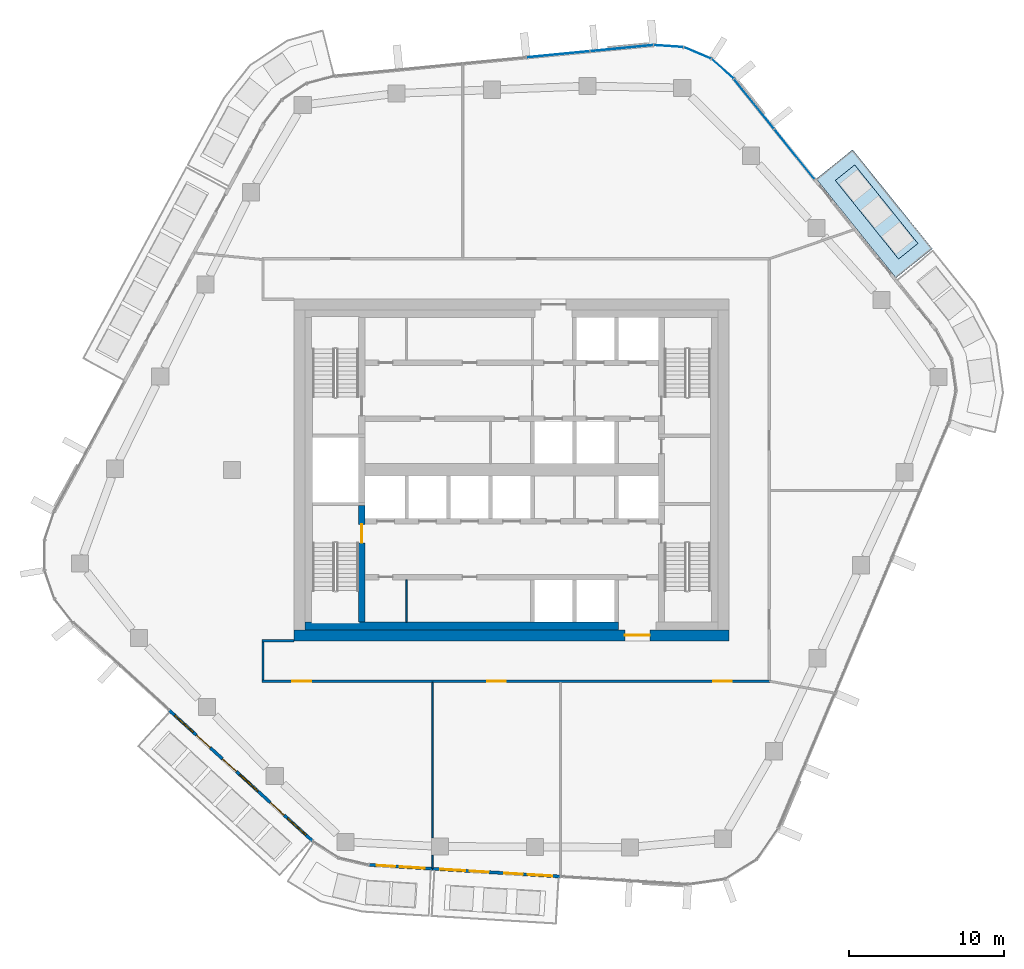
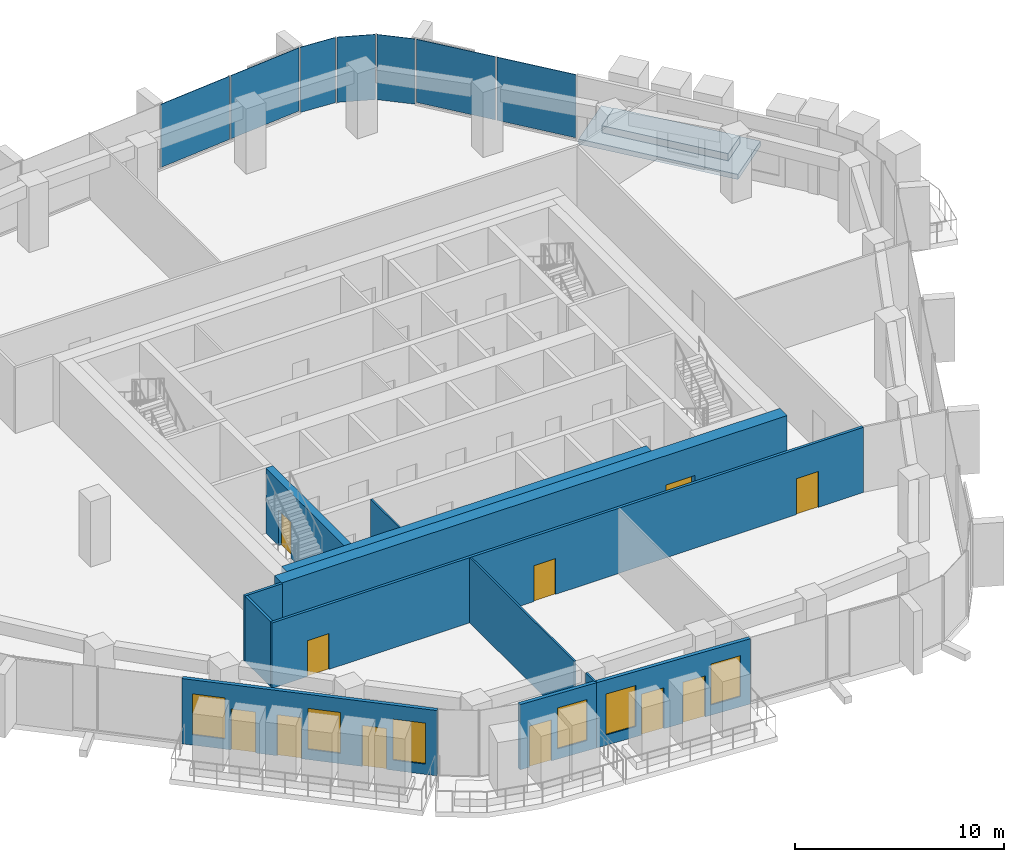
# One storey, part 11 of 20: 12 walls, 11 doors, 7 plates, 6 windows, 2 slabs, 17 openings, 3 elements without a shape of their own.
"""IFC4 building model written with IfcOpenShell, lengths in metres."""

from ifc_helpers import new_model, si_unit, direction, frame, frame_2d, origin, origin_2d, place, context, subcontext, project, spatial, polyline, rectangle, outline, extrude, material, layer, layer_set, type_object, element, fill, aggregate, save


model = new_model("IFC4")

# Units and contexts
model_context = context("Model", 3, precision=1e-05, world=origin(), true_north=direction((0.0, 1.0)))
body_context = subcontext(model_context, "Body", "Model", "MODEL_VIEW")
ifc_project = project(units=[si_unit("LENGTHUNIT", "METRE"), si_unit("AREAUNIT", "SQUARE_METRE"), si_unit("VOLUMEUNIT", "CUBIC_METRE"), si_unit("PLANEANGLEUNIT", "RADIAN"), si_unit("MASSUNIT", "GRAM", prefix="KILO")], contexts=[model_context])

# Site, building, storey
site_placement = place(None, origin())
site = spatial("IfcSite", under=ifc_project, at=site_placement, CompositionType="ELEMENT")
building_placement = place(site_placement, origin())
building = spatial("IfcBuilding", under=site, at=building_placement, Name="Dongbaek Canopy Tower", CompositionType="ELEMENT")
storey_placement = place(building_placement, frame((0.0, 0.0, 258.0)))
storey = spatial("IfcBuildingStorey", under=building, at=storey_placement, Name="L54", CompositionType="ELEMENT", Elevation=258.0)

# Slab
ifc_material_1 = material(Name="Concrete C40/50", Category="concrete")
ifc_layer_1 = layer(ifc_material_1, 0.300048828125)
ifc_layer_set_1 = layer_set([ifc_layer_1], Name="Balcony slab 300")
slab_type_1 = type_object("IfcSlabType", Name="Balcony slab 300", PredefinedType="FLOOR", material=ifc_layer_set_1)
slab_1_placement = place(storey_placement, frame((0.0, 0.0, -0.300048828125)))
element("IfcSlab", 1, at=slab_1_placement, inside=storey, type_object=slab_type_1, Name="Balcony L54 1", PredefinedType="FLOOR", context=body_context, shape_type="SweptSolid", body=[
    extrude(outline(polyline([(24.758544921875, 12.35693359375), (19.622314453125, 18.74072265625), (21.959716796875, 20.621337890625), (27.095947265625, 14.237548828125), (24.758544921875, 12.35693359375)])), origin(), (0.0, 0.0, 1.0), 0.300048828125),
])

# Curtain wall, plates
ifc_material_2 = material(Name="Aluminium 6063-T6 pale anodised", Category="aluminium")
ifc_layer_2 = layer(ifc_material_2, 0.199951171875)
ifc_layer_set_2 = layer_set([ifc_layer_2], Name="CW-1 unitised tower curtain wall")
curtain_wall_type = type_object("IfcCurtainWallType", Name="CW-1 unitised tower curtain wall", PredefinedType="NOTDEFINED", material=ifc_layer_set_2)
curtain_wall_1_placement = place(storey_placement, origin())
curtain_wall_1 = element("IfcCurtainWall", 2, at=curtain_wall_1_placement, inside=storey, type_object=curtain_wall_type, Name="CW-1 curtain wall F0.1", PredefinedType="NOTDEFINED")
ifc_material_3 = material(Name="Clear laminated glass", Category="glass")
ifc_layer_3 = layer(ifc_material_3, 0.028076171875)
ifc_layer_set_3 = layer_set([ifc_layer_3], Name="CW-1 glazed panel 28")
plate_type = type_object("IfcPlateType", Name="CW-1 glazed panel 28", PredefinedType="CURTAIN_PANEL", material=ifc_layer_set_3)
plate_1_placement = place(storey_placement, frame((18.21337890625, 20.33251953125, 0.1201171875), z_axis=(0.0, 0.0, 1.0), x_axis=(-0.626866846096, 0.779126406475, 0.0)))
plate_1 = element("IfcPlate", 3, at=plate_1_placement, type_object=plate_type, Name="CW-1 panel F0.1.1.1", PredefinedType="CURTAIN_PANEL", context=body_context, shape_type="SweptSolid", body=[
    extrude(rectangle(XDim=4.062744140625, YDim=0.028076171875, at=origin_2d()), origin(), (0.0, 0.0, 1.0), 3.699951171875),
])
plate_2_placement = place(storey_placement, frame((15.616455078125, 23.560302734375, 0.1201171875), z_axis=(0.0, 0.0, 1.0), x_axis=(-0.626866846096, 0.779126406475, 0.0)))
plate_2 = element("IfcPlate", 4, at=plate_2_placement, type_object=plate_type, Name="CW-1 panel F0.1.2.1", PredefinedType="CURTAIN_PANEL", context=body_context, shape_type="SweptSolid", body=[
    extrude(rectangle(XDim=4.054443359375, YDim=0.028076171875, at=origin_2d()), origin(), (0.0, 0.0, 1.0), 3.699951171875),
])
aggregate(curtain_wall_1, [plate_1, plate_2])

curtain_wall_2_placement = place(storey_placement, origin())
curtain_wall_2 = element("IfcCurtainWall", 5, at=curtain_wall_2_placement, inside=storey, type_object=curtain_wall_type, Name="CW-1 curtain wall K1.1", PredefinedType="NOTDEFINED")
plate_3_placement = place(storey_placement, frame((13.593017578125, 25.820068359375, 0.0), z_axis=(0.0, 0.0, 1.0), x_axis=(-0.746318212559, 0.665589307007, 0.0)))
plate_3 = element("IfcPlate", 6, at=plate_3_placement, type_object=plate_type, Name="CW-1 panel K1.1.1.1", PredefinedType="CURTAIN_PANEL", context=body_context, shape_type="SweptSolid", body=[
    extrude(rectangle(XDim=1.862060546875, YDim=0.028076171875, at=origin_2d()), origin(), (0.0, 0.0, 1.0), 3.820068359375),
])
plate_4_placement = place(storey_placement, frame((11.973876953125, 26.843505859375, 0.0), z_axis=(0.0, 0.0, 1.0), x_axis=(-0.921718789769, 0.387858830745, 0.0)))
plate_4 = element("IfcPlate", 7, at=plate_4_placement, type_object=plate_type, Name="CW-1 panel K1.1.2.1", PredefinedType="CURTAIN_PANEL", context=body_context, shape_type="SweptSolid", body=[
    extrude(rectangle(XDim=1.853515625, YDim=0.028076171875, at=origin_2d()), origin(), (0.0, 0.0, 1.0), 3.820068359375),
])
plate_5_placement = place(storey_placement, frame((10.1103515625, 27.28564453125, 0.0), z_axis=(0.0, 0.0, 1.0), x_axis=(-0.997666296748, 0.06827854959, 0.0)))
plate_5 = element("IfcPlate", 8, at=plate_5_placement, type_object=plate_type, Name="CW-1 panel K1.1.3.1", PredefinedType="CURTAIN_PANEL", context=body_context, shape_type="SweptSolid", body=[
    extrude(rectangle(XDim=1.862060546875, YDim=0.028076171875, at=origin_2d()), origin(), (0.0, 0.0, 1.0), 3.820068359375),
])
aggregate(curtain_wall_2, [plate_3, plate_4, plate_5])

curtain_wall_3_placement = place(storey_placement, origin())
curtain_wall_3 = element("IfcCurtainWall", 9, at=curtain_wall_3_placement, inside=storey, type_object=curtain_wall_type, Name="CW-1 curtain wall F1.1", PredefinedType="NOTDEFINED")
plate_6_placement = place(storey_placement, frame((7.095458984375, 27.15380859375, 0.1201171875), z_axis=(0.0, 0.0, 1.0), x_axis=(-0.995332430055, -0.096505718384, 0.0)))
plate_6 = element("IfcPlate", 10, at=plate_6_placement, type_object=plate_type, Name="CW-1 panel F1.1.1.1", PredefinedType="CURTAIN_PANEL", context=body_context, shape_type="SweptSolid", body=[
    extrude(rectangle(XDim=4.023193359375, YDim=0.028076171875, at=origin_2d()), origin(), (0.0, 0.0, 1.0), 3.699951171875),
])
plate_7_placement = place(storey_placement, frame((3.003173828125, 26.757080078125, 0.1201171875), z_axis=(0.0, 0.0, 1.0), x_axis=(-0.995332430055, -0.096505718384, 0.0)))
plate_7 = element("IfcPlate", 11, at=plate_7_placement, type_object=plate_type, Name="CW-1 panel F1.1.2.1", PredefinedType="CURTAIN_PANEL", context=body_context, shape_type="SweptSolid", body=[
    extrude(rectangle(XDim=4.031494140625, YDim=0.028076171875, at=origin_2d()), origin(), (0.0, 0.0, 1.0), 3.699951171875),
])
aggregate(curtain_wall_3, [plate_6, plate_7])

# Slab
ifc_material_4 = material(Name="Reinforced concrete C40/50 planter box with soil", Category="concrete")
ifc_layer_4 = layer(ifc_material_4, 0.419921875)
ifc_layer_set_4 = layer_set([ifc_layer_4], Name="Terrace planter box 1600 x 420")
slab_type_2 = type_object("IfcSlabType", Name="Terrace planter box 1600 x 420", PredefinedType="USERDEFINED", material=ifc_layer_set_4)
slab_2_placement = place(storey_placement, origin())
element("IfcSlab", 12, at=slab_2_placement, inside=storey, type_object=slab_type_2, Name="Balcony planter L54 1", ObjectType="PLANTER", PredefinedType="USERDEFINED", context=body_context, shape_type="SweptSolid", body=[
    extrude(outline(polyline([(24.919189453125, 13.5771484375), (20.8486328125, 18.636474609375), (22.09521484375, 19.639404296875), (26.165771484375, 14.580078125), (24.919189453125, 13.5771484375)])), origin(), (0.0, 0.0, 1.0), 0.419921875),
])

# Wall, opening, door
ifc_material_5 = material(Name="Concrete C70/85", Category="concrete")
ifc_layer_5 = layer(ifc_material_5, 0.699951171875)
ifc_layer_set_5 = layer_set([ifc_layer_5], Name="Core outer wall 700 Concrete C70/85")
wall_type_1 = type_object("IfcWallType", Name="Core outer wall 700 Concrete C70/85", PredefinedType="SHEAR", material=ifc_layer_set_5)
wall_1_placement = place(storey_placement, frame((14.0, -10.64990234375, 0.0), z_axis=(0.0, 0.0, 1.0), x_axis=(-1.0, 0.0, 0.0)))
wall_1 = element("IfcWall", 13, at=wall_1_placement, inside=storey, type_object=wall_type_1, Name="Core wall", PredefinedType="SHEAR", context=body_context, shape_type="SweptSolid", body=[
    extrude(rectangle(XDim=28.0, YDim=0.699951171875, at=frame_2d((14.0, 0.0))), origin(), (0.0, 0.0, 1.0), 3.820068359375),
])
opening_1_placement = place(wall_1_placement, frame((5.10009765625, 0.0, 0.0)))
opening_1 = element("IfcOpeningElement", 14, at=opening_1_placement, cuts=wall_1, Name="Opening L54-D021", PredefinedType="OPENING", context=body_context, shape_type="SweptSolid", body=[
    extrude(rectangle(XDim=1.60009765625, YDim=2.10009765625, at=frame_2d((0.800048828125, 1.050048828125))), frame((0.0, 0.35986328125, 0.0), z_axis=(0.0, -1.0, 0.0), x_axis=(1.0, 0.0, 0.0)), (0.0, 0.0, 1.0), 0.719970703125),
])
ifc_material_6 = material(Name="Steel", Category="steel")
door_type_1 = type_object("IfcDoorType", Name="Core exit door 1600 x 2100", OperationType="DOUBLE_DOOR_SINGLE_SWING", PredefinedType="DOOR", material=ifc_material_6)
door_1_placement = place(opening_1_placement, origin())
door_1 = element("IfcDoor", 15, at=door_1_placement, inside=storey, type_object=door_type_1, Name="Core exit door", OperationType="DOUBLE_DOOR_SINGLE_SWING", OverallHeight=2.10009765625, OverallWidth=1.60009765625, PredefinedType="DOOR", context=body_context, shape_type="SweptSolid", body=[
    extrude(rectangle(XDim=1.60009765625, YDim=2.10009765625, at=frame_2d((0.800048828125, 1.050048828125))), frame((0.0, 0.02490234375, 0.0), z_axis=(0.0, -1.0, 0.0), x_axis=(1.0, 0.0, 0.0)), (0.0, 0.0, 1.0), 0.050048828125),
])
fill(opening_1, door_1)

# Wall
ifc_material_7 = material(Name="Concrete C60/75", Category="concrete")
ifc_layer_6 = layer(ifc_material_7, 0.5)
ifc_layer_set_6 = layer_set([ifc_layer_6], Name="Core wall lining 500 Concrete C60/75")
wall_type_2 = type_object("IfcWallType", Name="Core wall lining 500 Concrete C60/75", PredefinedType="SHEAR", material=ifc_layer_set_6)
wall_2_placement = place(storey_placement, frame((6.89990234375, -10.050048828125, 0.0), z_axis=(0.0, 0.0, 1.0), x_axis=(-1.0, 0.0, 0.0)))
element("IfcWall", 16, at=wall_2_placement, inside=storey, type_object=wall_type_2, Name="Core wall lining", PredefinedType="SHEAR", context=body_context, shape_type="SweptSolid", body=[
    extrude(rectangle(XDim=20.199951171875, YDim=0.5, at=frame_2d((10.10009765625, 0.0))), origin(), (0.0, 0.0, 1.0), 3.820068359375),
])

# Wall, openings, doors
ifc_material_8 = material(Name="Gypsum board partition, steel stud, 2 x 15 mm fire board", Category="steel")
ifc_layer_7 = layer(ifc_material_8, 0.14990234375)
ifc_layer_set_7 = layer_set([ifc_layer_7], Name="Fire-rated partition 150 gypsum board")
wall_type_3 = type_object("IfcWallType", Name="Fire-rated partition 150 gypsum board", PredefinedType="PARTITIONING", material=ifc_layer_set_7)
wall_3_placement = place(storey_placement, frame((16.675048828125, -13.60009765625, 0.0), z_axis=(0.0, 0.0, 1.0), x_axis=(-1.0, 0.0, 0.0)))
wall_3 = element("IfcWall", 17, at=wall_3_placement, inside=storey, type_object=wall_type_3, Name="Corridor partition", PredefinedType="PARTITIONING", context=body_context, shape_type="SweptSolid", body=[
    extrude(rectangle(XDim=32.75, YDim=0.14990234375, at=frame_2d((16.375, 0.0))), origin(), (0.0, 0.0, 1.0), 3.820068359375),
])
opening_2_placement = place(wall_3_placement, frame((29.586669921875, 0.0, 0.0)))
opening_2 = element("IfcOpeningElement", 18, at=opening_2_placement, cuts=wall_3, Name="Opening L54-D001", PredefinedType="OPENING", context=body_context, shape_type="SweptSolid", body=[
    extrude(rectangle(XDim=1.199951171875, YDim=2.10009765625, at=frame_2d((0.60009765625, 1.050048828125))), frame((0.0, 0.0849609375, 0.0), z_axis=(0.0, -1.0, 0.0), x_axis=(1.0, 0.0, 0.0)), (0.0, 0.0, 1.0), 0.169921875),
])
opening_3_placement = place(wall_3_placement, frame((17.0400390625, 0.0, 0.0)))
opening_3 = element("IfcOpeningElement", 19, at=opening_3_placement, cuts=wall_3, Name="Opening L54-D002", PredefinedType="OPENING", context=body_context, shape_type="SweptSolid", body=[
    extrude(rectangle(XDim=1.199951171875, YDim=2.10009765625, at=frame_2d((0.60009765625, 1.050048828125))), frame((0.0, 0.0849609375, 0.0), z_axis=(0.0, -1.0, 0.0), x_axis=(1.0, 0.0, 0.0)), (0.0, 0.0, 1.0), 0.169921875),
])
opening_4_placement = place(wall_3_placement, frame((2.494873046875, 0.0, 0.0)))
opening_4 = element("IfcOpeningElement", 20, at=opening_4_placement, cuts=wall_3, Name="Opening L54-D003", PredefinedType="OPENING", context=body_context, shape_type="SweptSolid", body=[
    extrude(rectangle(XDim=1.199951171875, YDim=2.10009765625, at=frame_2d((0.60009765625, 1.050048828125))), frame((0.0, 0.0849609375, 0.0), z_axis=(0.0, -1.0, 0.0), x_axis=(1.0, 0.0, 0.0)), (0.0, 0.0, 1.0), 0.169921875),
])
ifc_material_9 = material(Name="Timber veneered door leaf", Category="wood")
door_type_2 = type_object("IfcDoorType", Name="Room door 1200 x 2100", OperationType="SINGLE_SWING_LEFT", PredefinedType="DOOR", material=ifc_material_9)
door_2_placement = place(opening_2_placement, origin())
door_2 = element("IfcDoor", 21, at=door_2_placement, inside=storey, type_object=door_type_2, Name="Door L54-D001", OperationType="SINGLE_SWING_RIGHT", OverallHeight=2.10009765625, OverallWidth=1.199951171875, PredefinedType="DOOR", context=body_context, shape_type="SweptSolid", body=[
    extrude(rectangle(XDim=1.199951171875, YDim=2.10009765625, at=frame_2d((0.60009765625, 1.050048828125))), frame((0.0, 0.02490234375, 0.0), z_axis=(0.0, -1.0, 0.0), x_axis=(1.0, 0.0, 0.0)), (0.0, 0.0, 1.0), 0.050048828125),
])
fill(opening_2, door_2)
door_3_placement = place(opening_3_placement, origin())
door_3 = element("IfcDoor", 22, at=door_3_placement, inside=storey, type_object=door_type_2, Name="Door L54-D002", OperationType="SINGLE_SWING_LEFT", OverallHeight=2.10009765625, OverallWidth=1.199951171875, PredefinedType="DOOR", context=body_context, shape_type="SweptSolid", body=[
    extrude(rectangle(XDim=1.199951171875, YDim=2.10009765625, at=frame_2d((0.60009765625, 1.050048828125))), frame((0.0, 0.02490234375, 0.0), z_axis=(0.0, -1.0, 0.0), x_axis=(1.0, 0.0, 0.0)), (0.0, 0.0, 1.0), 0.050048828125),
])
fill(opening_3, door_3)
door_4_placement = place(opening_4_placement, origin())
door_4 = element("IfcDoor", 23, at=door_4_placement, inside=storey, type_object=door_type_2, Name="Door L54-D003", OperationType="SINGLE_SWING_RIGHT", OverallHeight=2.10009765625, OverallWidth=1.199951171875, PredefinedType="DOOR", context=body_context, shape_type="SweptSolid", body=[
    extrude(rectangle(XDim=1.199951171875, YDim=2.10009765625, at=frame_2d((0.60009765625, 1.050048828125))), frame((0.0, 0.02490234375, 0.0), z_axis=(0.0, -1.0, 0.0), x_axis=(1.0, 0.0, 0.0)), (0.0, 0.0, 1.0), 0.050048828125),
])
fill(opening_4, door_4)

# Walls
wall_4_placement = place(storey_placement, frame((-16.074951171875, -10.9970703125, 0.0), z_axis=(0.0, 0.0, 1.0), x_axis=(1.0, 0.0, 0.0)))
element("IfcWall", 24, at=wall_4_placement, inside=storey, type_object=wall_type_3, Name="Corridor partition", PredefinedType="PARTITIONING", context=body_context, shape_type="SweptSolid", body=[
    extrude(rectangle(XDim=2.074951171875, YDim=0.14990234375, at=frame_2d((1.03759765625, 0.0))), origin(), (0.0, 0.0, 1.0), 3.820068359375),
])
wall_5_placement = place(storey_placement, frame((-16.0, -13.52490234375, 0.0), z_axis=(0.0, 0.0, 1.0), x_axis=(0.0, 1.0, 0.0)))
element("IfcWall", 25, at=wall_5_placement, inside=storey, type_object=wall_type_3, Name="Corridor partition", PredefinedType="PARTITIONING", context=body_context, shape_type="SweptSolid", body=[
    extrude(rectangle(XDim=2.452880859375, YDim=0.14990234375, at=frame_2d((1.2265625, 0.0))), origin(), (0.0, 0.0, 1.0), 3.820068359375),
])
ifc_material_10 = material(Name="Gypsum board partition, steel stud, 2 x 12.5 mm board", Category="steel")
ifc_layer_8 = layer(ifc_material_10, 0.10009765625)
ifc_layer_set_8 = layer_set([ifc_layer_8], Name="Partition 100 gypsum board")
wall_type_4 = type_object("IfcWallType", Name="Partition 100 gypsum board", PredefinedType="PARTITIONING", material=ifc_layer_set_8)
wall_6_placement = place(storey_placement, frame((-5.076904296875, -25.66015625, 0.0), z_axis=(0.0, 0.0, 1.0), x_axis=(0.0, 1.0, 0.0)))
element("IfcWall", 26, at=wall_6_placement, inside=storey, type_object=wall_type_4, Name="Partition", PredefinedType="PARTITIONING", context=body_context, shape_type="SweptSolid", body=[
    extrude(rectangle(XDim=0.8642578125, YDim=0.10009765625, at=frame_2d((0.43212890625, 0.0))), origin(), (0.0, 0.0, 1.0), 3.820068359375),
])
wall_7_placement = place(storey_placement, frame((-5.076904296875, -23.696044921875, 0.0), z_axis=(0.0, 0.0, 1.0), x_axis=(0.0, 1.0, 0.0)))
element("IfcWall", 27, at=wall_7_placement, inside=storey, type_object=wall_type_4, Name="Partition", PredefinedType="PARTITIONING", context=body_context, shape_type="SweptSolid", body=[
    extrude(rectangle(XDim=10.02099609375, YDim=0.10009765625, at=frame_2d((5.010498046875, 0.0))), origin(), (0.0, 0.0, 1.0), 3.820068359375),
])
wall_8_placement = place(storey_placement, frame((-6.75, -9.800048828125, 0.0), z_axis=(0.0, 0.0, 1.0), x_axis=(0.0, 1.0, 0.0)))
element("IfcWall", 28, at=wall_8_placement, inside=storey, type_object=wall_type_4, Name="Core partition", PredefinedType="PARTITIONING", context=body_context, shape_type="SweptSolid", body=[
    extrude(rectangle(XDim=2.72509765625, YDim=0.10009765625, at=frame_2d((1.362548828125, 0.0))), origin(), (0.0, 0.0, 1.0), 3.820068359375),
])

# Wall, opening, door
ifc_material_11 = material(Name="Concrete C60/75", Category="concrete")
ifc_layer_9 = layer(ifc_material_11, 0.39990234375)
ifc_layer_set_9 = layer_set([ifc_layer_9], Name="Stair wall 400 Concrete C60/75")
wall_type_5 = type_object("IfcWallType", Name="Stair wall 400 Concrete C60/75", PredefinedType="SHEAR", material=ifc_layer_set_9)
wall_9_placement = place(storey_placement, frame((-9.64990234375, -9.800048828125, 0.0), z_axis=(0.0, 0.0, 1.0), x_axis=(0.0, 1.0, 0.0)))
wall_9 = element("IfcWall", 29, at=wall_9_placement, inside=storey, type_object=wall_type_5, Name="Stair wall", PredefinedType="SHEAR", context=body_context, shape_type="SweptSolid", body=[
    extrude(rectangle(XDim=7.5, YDim=0.39990234375, at=frame_2d((3.75, 0.0))), origin(), (0.0, 0.0, 1.0), 3.820068359375),
])
opening_5_placement = place(wall_9_placement, frame((5.10009765625, 0.0, 0.0)))
opening_5 = element("IfcOpeningElement", 30, at=opening_5_placement, cuts=wall_9, Name="Opening L54-D034", PredefinedType="OPENING", context=body_context, shape_type="SweptSolid", body=[
    extrude(rectangle(XDim=1.199951171875, YDim=2.10009765625, at=frame_2d((0.60009765625, 1.050048828125))), frame((0.0, 0.2099609375, 0.0), z_axis=(0.0, -1.0, 0.0), x_axis=(1.0, 0.0, 0.0)), (0.0, 0.0, 1.0), 0.419921875),
])
ifc_material_12 = material(Name="Steel", Category="steel")
door_type_3 = type_object("IfcDoorType", Name="Stair door 1200 x 2100", OperationType="SINGLE_SWING_LEFT", PredefinedType="DOOR", material=ifc_material_12)
door_5_placement = place(opening_5_placement, origin())
door_5 = element("IfcDoor", 31, at=door_5_placement, inside=storey, type_object=door_type_3, Name="Stair D door", OperationType="SINGLE_SWING_LEFT", OverallHeight=2.10009765625, OverallWidth=1.199951171875, PredefinedType="DOOR", context=body_context, shape_type="SweptSolid", body=[
    extrude(rectangle(XDim=1.199951171875, YDim=2.10009765625, at=frame_2d((0.60009765625, 1.050048828125))), frame((0.0, 0.02490234375, 0.0), z_axis=(0.0, -1.0, 0.0), x_axis=(1.0, 0.0, 0.0)), (0.0, 0.0, 1.0), 0.050048828125),
])
fill(opening_5, door_5)

# Wall, openings, doors, windows
ifc_material_13 = material(Name="Aluminium window wall", Category="aluminium")
ifc_layer_10 = layer(ifc_material_13, 0.199951171875)
ifc_layer_set_10 = layer_set([ifc_layer_10], Name="Window wall 200")
wall_type_6 = type_object("IfcWallType", Name="Window wall 200", PredefinedType="SOLIDWALL", material=ifc_layer_set_10)
wall_10_placement = place(storey_placement, frame((-22.058837890625, -15.46142578125, 0.0), z_axis=(0.0, 0.0, 1.0), x_axis=(0.738843559677, -0.673876987531, 0.0)))
wall_10 = element("IfcWall", 32, at=wall_10_placement, inside=storey, type_object=wall_type_6, Name="Window wall L54 3", PredefinedType="SOLIDWALL", context=body_context, shape_type="SweptSolid", body=[
    extrude(rectangle(XDim=12.513916015625, YDim=0.199951171875, at=frame_2d((6.2568359375, 0.0))), origin(), (0.0, 0.0, 1.0), 3.820068359375),
])
opening_6_placement = place(wall_10_placement, frame((0.5, 0.0, 0.60009765625)))
opening_6 = element("IfcOpeningElement", 33, at=opening_6_placement, cuts=wall_10, Name="Opening W1", PredefinedType="OPENING", context=body_context, shape_type="SweptSolid", body=[
    extrude(rectangle(XDim=1.60009765625, YDim=2.39990234375, at=frame_2d((0.800048828125, 1.199951171875))), frame((0.0, 0.10986328125, 0.0), z_axis=(0.0, -1.0, 0.0), x_axis=(1.0, 0.0, 0.0)), (0.0, 0.0, 1.0), 0.219970703125),
])
opening_7_placement = place(wall_10_placement, frame((2.39990234375, 0.0, 0.0)))
opening_7 = element("IfcOpeningElement", 34, at=opening_7_placement, cuts=wall_10, Name="Opening L54-B08", PredefinedType="OPENING", context=body_context, shape_type="SweptSolid", body=[
    extrude(rectangle(XDim=1.199951171875, YDim=2.39990234375, at=frame_2d((0.60009765625, 1.199951171875))), frame((0.0, 0.10986328125, 0.0), z_axis=(0.0, -1.0, 0.0), x_axis=(1.0, 0.0, 0.0)), (0.0, 0.0, 1.0), 0.219970703125),
])
opening_8_placement = place(wall_10_placement, frame((6.17138671875, 0.0, 0.60009765625)))
opening_8 = element("IfcOpeningElement", 35, at=opening_8_placement, cuts=wall_10, Name="Opening W1", PredefinedType="OPENING", context=body_context, shape_type="SweptSolid", body=[
    extrude(rectangle(XDim=1.60009765625, YDim=2.39990234375, at=frame_2d((0.800048828125, 1.199951171875))), frame((0.0, 0.10986328125, 0.0), z_axis=(0.0, -1.0, 0.0), x_axis=(1.0, 0.0, 0.0)), (0.0, 0.0, 1.0), 0.219970703125),
])
opening_9_placement = place(wall_10_placement, frame((4.67138671875, 0.0, 0.0)))
opening_9 = element("IfcOpeningElement", 36, at=opening_9_placement, cuts=wall_10, Name="Opening L54-B09", PredefinedType="OPENING", context=body_context, shape_type="SweptSolid", body=[
    extrude(rectangle(XDim=1.199951171875, YDim=2.39990234375, at=frame_2d((0.60009765625, 1.199951171875))), frame((0.0, 0.10986328125, 0.0), z_axis=(0.0, -1.0, 0.0), x_axis=(1.0, 0.0, 0.0)), (0.0, 0.0, 1.0), 0.219970703125),
])
opening_10_placement = place(wall_10_placement, frame((10.342529296875, 0.0, 0.60009765625)))
opening_10 = element("IfcOpeningElement", 37, at=opening_10_placement, cuts=wall_10, Name="Opening W1", PredefinedType="OPENING", context=body_context, shape_type="SweptSolid", body=[
    extrude(rectangle(XDim=1.60009765625, YDim=2.39990234375, at=frame_2d((0.800048828125, 1.199951171875))), frame((0.0, 0.10986328125, 0.0), z_axis=(0.0, -1.0, 0.0), x_axis=(1.0, 0.0, 0.0)), (0.0, 0.0, 1.0), 0.219970703125),
])
opening_11_placement = place(wall_10_placement, frame((8.842529296875, 0.0, 0.0)))
opening_11 = element("IfcOpeningElement", 38, at=opening_11_placement, cuts=wall_10, Name="Opening L54-B10", PredefinedType="OPENING", context=body_context, shape_type="SweptSolid", body=[
    extrude(rectangle(XDim=1.199951171875, YDim=2.39990234375, at=frame_2d((0.60009765625, 1.199951171875))), frame((0.0, 0.10986328125, 0.0), z_axis=(0.0, -1.0, 0.0), x_axis=(1.0, 0.0, 0.0)), (0.0, 0.0, 1.0), 0.219970703125),
])
ifc_material_14 = material(Name="Clear glazing in aluminium frame", Category="aluminium")
door_type_4 = type_object("IfcDoorType", Name="Balcony door BD1 1200 x 2400", OperationType="SLIDING_TO_LEFT", PredefinedType="DOOR", material=ifc_material_14)
door_6_placement = place(opening_7_placement, origin())
door_6 = element("IfcDoor", 39, at=door_6_placement, inside=storey, type_object=door_type_4, Name="Balcony door L54-B08", OperationType="SLIDING_TO_LEFT", OverallHeight=2.39990234375, OverallWidth=1.199951171875, PredefinedType="DOOR", context=body_context, shape_type="SweptSolid", body=[
    extrude(rectangle(XDim=1.199951171875, YDim=2.39990234375, at=frame_2d((0.60009765625, 1.199951171875))), frame((0.0, 0.02490234375, 0.0), z_axis=(0.0, -1.0, 0.0), x_axis=(1.0, 0.0, 0.0)), (0.0, 0.0, 1.0), 0.050048828125),
])
fill(opening_7, door_6)
door_7_placement = place(opening_9_placement, origin())
door_7 = element("IfcDoor", 40, at=door_7_placement, inside=storey, type_object=door_type_4, Name="Balcony door L54-B09", OperationType="SLIDING_TO_LEFT", OverallHeight=2.39990234375, OverallWidth=1.199951171875, PredefinedType="DOOR", context=body_context, shape_type="SweptSolid", body=[
    extrude(rectangle(XDim=1.199951171875, YDim=2.39990234375, at=frame_2d((0.60009765625, 1.199951171875))), frame((0.0, 0.02490234375, 0.0), z_axis=(0.0, -1.0, 0.0), x_axis=(1.0, 0.0, 0.0)), (0.0, 0.0, 1.0), 0.050048828125),
])
fill(opening_9, door_7)
door_8_placement = place(opening_11_placement, origin())
door_8 = element("IfcDoor", 41, at=door_8_placement, inside=storey, type_object=door_type_4, Name="Balcony door L54-B10", OperationType="SLIDING_TO_LEFT", OverallHeight=2.39990234375, OverallWidth=1.199951171875, PredefinedType="DOOR", context=body_context, shape_type="SweptSolid", body=[
    extrude(rectangle(XDim=1.199951171875, YDim=2.39990234375, at=frame_2d((0.60009765625, 1.199951171875))), frame((0.0, 0.02490234375, 0.0), z_axis=(0.0, -1.0, 0.0), x_axis=(1.0, 0.0, 0.0)), (0.0, 0.0, 1.0), 0.050048828125),
])
fill(opening_11, door_8)
ifc_material_15 = material(Name="Clear glazing in aluminium frame", Category="aluminium")
window_type = type_object("IfcWindowType", Name="Window W1 1600 x 2400", PartitioningType="SINGLE_PANEL", PredefinedType="WINDOW", material=ifc_material_15)
window_1_placement = place(opening_6_placement, origin())
window_1 = element("IfcWindow", 42, at=window_1_placement, inside=storey, type_object=window_type, Name="Window L54 3.1", OverallHeight=2.39990234375, OverallWidth=1.60009765625, PartitioningType="SINGLE_PANEL", PredefinedType="WINDOW", context=body_context, shape_type="SweptSolid", body=[
    extrude(rectangle(XDim=1.60009765625, YDim=2.39990234375, at=frame_2d((0.800048828125, 1.199951171875))), frame((0.0, 0.030029296875, 0.0), z_axis=(0.0, -1.0, 0.0), x_axis=(1.0, 0.0, 0.0)), (0.0, 0.0, 1.0), 0.06005859375),
])
fill(opening_6, window_1)
window_2_placement = place(opening_8_placement, origin())
window_2 = element("IfcWindow", 43, at=window_2_placement, inside=storey, type_object=window_type, Name="Window L54 3.2", OverallHeight=2.39990234375, OverallWidth=1.60009765625, PartitioningType="SINGLE_PANEL", PredefinedType="WINDOW", context=body_context, shape_type="SweptSolid", body=[
    extrude(rectangle(XDim=1.60009765625, YDim=2.39990234375, at=frame_2d((0.800048828125, 1.199951171875))), frame((0.0, 0.030029296875, 0.0), z_axis=(0.0, -1.0, 0.0), x_axis=(1.0, 0.0, 0.0)), (0.0, 0.0, 1.0), 0.06005859375),
])
fill(opening_8, window_2)
window_3_placement = place(opening_10_placement, origin())
window_3 = element("IfcWindow", 44, at=window_3_placement, inside=storey, type_object=window_type, Name="Window L54 3.3", OverallHeight=2.39990234375, OverallWidth=1.60009765625, PartitioningType="SINGLE_PANEL", PredefinedType="WINDOW", context=body_context, shape_type="SweptSolid", body=[
    extrude(rectangle(XDim=1.60009765625, YDim=2.39990234375, at=frame_2d((0.800048828125, 1.199951171875))), frame((0.0, 0.030029296875, 0.0), z_axis=(0.0, -1.0, 0.0), x_axis=(1.0, 0.0, 0.0)), (0.0, 0.0, 1.0), 0.06005859375),
])
fill(opening_10, window_3)

wall_11_placement = place(storey_placement, frame((-5.0771484375, -25.68017578125, 0.0), z_axis=(0.0, 0.0, 1.0), x_axis=(0.998153501879, -0.060741968084, 0.0)))
wall_11 = element("IfcWall", 45, at=wall_11_placement, inside=storey, type_object=wall_type_6, Name="Window wall L54 4", PredefinedType="SOLIDWALL", context=body_context, shape_type="SweptSolid", body=[
    extrude(rectangle(XDim=8.239501953125, YDim=0.199951171875, at=frame_2d((4.11962890625, 0.0))), origin(), (0.0, 0.0, 1.0), 3.820068359375),
])
opening_12_placement = place(wall_11_placement, frame((0.5, 0.0, 0.60009765625)))
opening_12 = element("IfcOpeningElement", 46, at=opening_12_placement, cuts=wall_11, Name="Opening W1", PredefinedType="OPENING", context=body_context, shape_type="SweptSolid", body=[
    extrude(rectangle(XDim=1.60009765625, YDim=2.39990234375, at=frame_2d((0.800048828125, 1.199951171875))), frame((0.0, 0.10986328125, 0.0), z_axis=(0.0, -1.0, 0.0), x_axis=(1.0, 0.0, 0.0)), (0.0, 0.0, 1.0), 0.219970703125),
])
opening_13_placement = place(wall_11_placement, frame((2.39990234375, 0.0, 0.0)))
opening_13 = element("IfcOpeningElement", 47, at=opening_13_placement, cuts=wall_11, Name="Opening L54-B11", PredefinedType="OPENING", context=body_context, shape_type="SweptSolid", body=[
    extrude(rectangle(XDim=1.199951171875, YDim=2.39990234375, at=frame_2d((0.60009765625, 1.199951171875))), frame((0.0, 0.10986328125, 0.0), z_axis=(0.0, -1.0, 0.0), x_axis=(1.0, 0.0, 0.0)), (0.0, 0.0, 1.0), 0.219970703125),
])
opening_14_placement = place(wall_11_placement, frame((6.11962890625, 0.0, 0.60009765625)))
opening_14 = element("IfcOpeningElement", 48, at=opening_14_placement, cuts=wall_11, Name="Opening W1", PredefinedType="OPENING", context=body_context, shape_type="SweptSolid", body=[
    extrude(rectangle(XDim=1.60009765625, YDim=2.39990234375, at=frame_2d((0.800048828125, 1.199951171875))), frame((0.0, 0.10986328125, 0.0), z_axis=(0.0, -1.0, 0.0), x_axis=(1.0, 0.0, 0.0)), (0.0, 0.0, 1.0), 0.219970703125),
])
opening_15_placement = place(wall_11_placement, frame((4.61962890625, 0.0, 0.0)))
opening_15 = element("IfcOpeningElement", 49, at=opening_15_placement, cuts=wall_11, Name="Opening L54-B12", PredefinedType="OPENING", context=body_context, shape_type="SweptSolid", body=[
    extrude(rectangle(XDim=1.199951171875, YDim=2.39990234375, at=frame_2d((0.60009765625, 1.199951171875))), frame((0.0, 0.10986328125, 0.0), z_axis=(0.0, -1.0, 0.0), x_axis=(1.0, 0.0, 0.0)), (0.0, 0.0, 1.0), 0.219970703125),
])
door_9_placement = place(opening_13_placement, origin())
door_9 = element("IfcDoor", 50, at=door_9_placement, inside=storey, type_object=door_type_4, Name="Balcony door L54-B11", OperationType="SLIDING_TO_LEFT", OverallHeight=2.39990234375, OverallWidth=1.199951171875, PredefinedType="DOOR", context=body_context, shape_type="SweptSolid", body=[
    extrude(rectangle(XDim=1.199951171875, YDim=2.39990234375, at=frame_2d((0.60009765625, 1.199951171875))), frame((0.0, 0.02490234375, 0.0), z_axis=(0.0, -1.0, 0.0), x_axis=(1.0, 0.0, 0.0)), (0.0, 0.0, 1.0), 0.050048828125),
])
fill(opening_13, door_9)
door_10_placement = place(opening_15_placement, origin())
door_10 = element("IfcDoor", 51, at=door_10_placement, inside=storey, type_object=door_type_4, Name="Balcony door L54-B12", OperationType="SLIDING_TO_LEFT", OverallHeight=2.39990234375, OverallWidth=1.199951171875, PredefinedType="DOOR", context=body_context, shape_type="SweptSolid", body=[
    extrude(rectangle(XDim=1.199951171875, YDim=2.39990234375, at=frame_2d((0.60009765625, 1.199951171875))), frame((0.0, 0.02490234375, 0.0), z_axis=(0.0, -1.0, 0.0), x_axis=(1.0, 0.0, 0.0)), (0.0, 0.0, 1.0), 0.050048828125),
])
fill(opening_15, door_10)
window_4_placement = place(opening_12_placement, origin())
window_4 = element("IfcWindow", 52, at=window_4_placement, inside=storey, type_object=window_type, Name="Window L54 4.1", OverallHeight=2.39990234375, OverallWidth=1.60009765625, PartitioningType="SINGLE_PANEL", PredefinedType="WINDOW", context=body_context, shape_type="SweptSolid", body=[
    extrude(rectangle(XDim=1.60009765625, YDim=2.39990234375, at=frame_2d((0.800048828125, 1.199951171875))), frame((0.0, 0.030029296875, 0.0), z_axis=(0.0, -1.0, 0.0), x_axis=(1.0, 0.0, 0.0)), (0.0, 0.0, 1.0), 0.06005859375),
])
fill(opening_12, window_4)
window_5_placement = place(opening_14_placement, origin())
window_5 = element("IfcWindow", 53, at=window_5_placement, inside=storey, type_object=window_type, Name="Window L54 4.2", OverallHeight=2.39990234375, OverallWidth=1.60009765625, PartitioningType="SINGLE_PANEL", PredefinedType="WINDOW", context=body_context, shape_type="SweptSolid", body=[
    extrude(rectangle(XDim=1.60009765625, YDim=2.39990234375, at=frame_2d((0.800048828125, 1.199951171875))), frame((0.0, 0.030029296875, 0.0), z_axis=(0.0, -1.0, 0.0), x_axis=(1.0, 0.0, 0.0)), (0.0, 0.0, 1.0), 0.06005859375),
])
fill(opening_14, window_5)

# Wall, openings, door, window
wall_12_placement = place(storey_placement, frame((-9.1806640625, -25.430419921875, 0.0), z_axis=(0.0, 0.0, 1.0), x_axis=(0.998152924564, -0.060751454178, 0.0)))
wall_12 = element("IfcWall", 54, at=wall_12_placement, inside=storey, type_object=wall_type_6, Name="Window wall L54 7", PredefinedType="SOLIDWALL", context=body_context, shape_type="SweptSolid", body=[
    extrude(rectangle(XDim=4.111083984375, YDim=0.199951171875, at=frame_2d((2.0556640625, 0.0))), origin(), (0.0, 0.0, 1.0), 3.820068359375),
])
opening_16_placement = place(wall_12_placement, frame((2.0, 0.0, 0.60009765625)))
opening_16 = element("IfcOpeningElement", 55, at=opening_16_placement, cuts=wall_12, Name="Opening W1", PredefinedType="OPENING", context=body_context, shape_type="SweptSolid", body=[
    extrude(rectangle(XDim=1.60009765625, YDim=2.39990234375, at=frame_2d((0.800048828125, 1.199951171875))), frame((0.0, 0.10986328125, 0.0), z_axis=(0.0, -1.0, 0.0), x_axis=(1.0, 0.0, 0.0)), (0.0, 0.0, 1.0), 0.219970703125),
])
opening_17_placement = place(wall_12_placement, frame((0.5, 0.0, 0.0)))
opening_17 = element("IfcOpeningElement", 56, at=opening_17_placement, cuts=wall_12, Name="Opening L54-B13", PredefinedType="OPENING", context=body_context, shape_type="SweptSolid", body=[
    extrude(rectangle(XDim=1.199951171875, YDim=2.39990234375, at=frame_2d((0.60009765625, 1.199951171875))), frame((0.0, 0.10986328125, 0.0), z_axis=(0.0, -1.0, 0.0), x_axis=(1.0, 0.0, 0.0)), (0.0, 0.0, 1.0), 0.219970703125),
])
door_11_placement = place(opening_17_placement, origin())
door_11 = element("IfcDoor", 57, at=door_11_placement, inside=storey, type_object=door_type_4, Name="Balcony door L54-B13", OperationType="SLIDING_TO_LEFT", OverallHeight=2.39990234375, OverallWidth=1.199951171875, PredefinedType="DOOR", context=body_context, shape_type="SweptSolid", body=[
    extrude(rectangle(XDim=1.199951171875, YDim=2.39990234375, at=frame_2d((0.60009765625, 1.199951171875))), frame((0.0, 0.02490234375, 0.0), z_axis=(0.0, -1.0, 0.0), x_axis=(1.0, 0.0, 0.0)), (0.0, 0.0, 1.0), 0.050048828125),
])
fill(opening_17, door_11)
window_6_placement = place(opening_16_placement, origin())
window_6 = element("IfcWindow", 58, at=window_6_placement, inside=storey, type_object=window_type, Name="Window L54 7.1", OverallHeight=2.39990234375, OverallWidth=1.60009765625, PartitioningType="SINGLE_PANEL", PredefinedType="WINDOW", context=body_context, shape_type="SweptSolid", body=[
    extrude(rectangle(XDim=1.60009765625, YDim=2.39990234375, at=frame_2d((0.800048828125, 1.199951171875))), frame((0.0, 0.030029296875, 0.0), z_axis=(0.0, -1.0, 0.0), x_axis=(1.0, 0.0, 0.0)), (0.0, 0.0, 1.0), 0.06005859375),
])
fill(opening_16, window_6)

save(model, "model.ifc")
